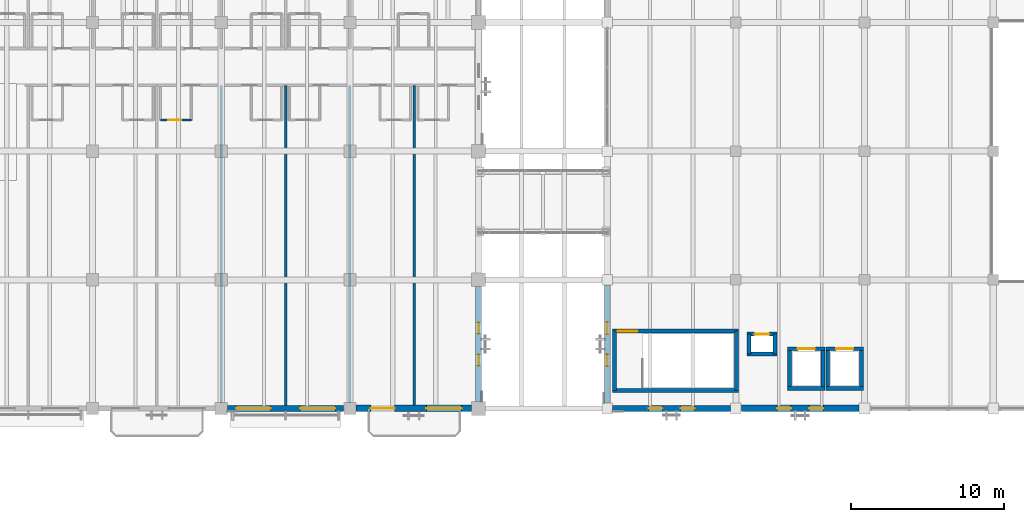
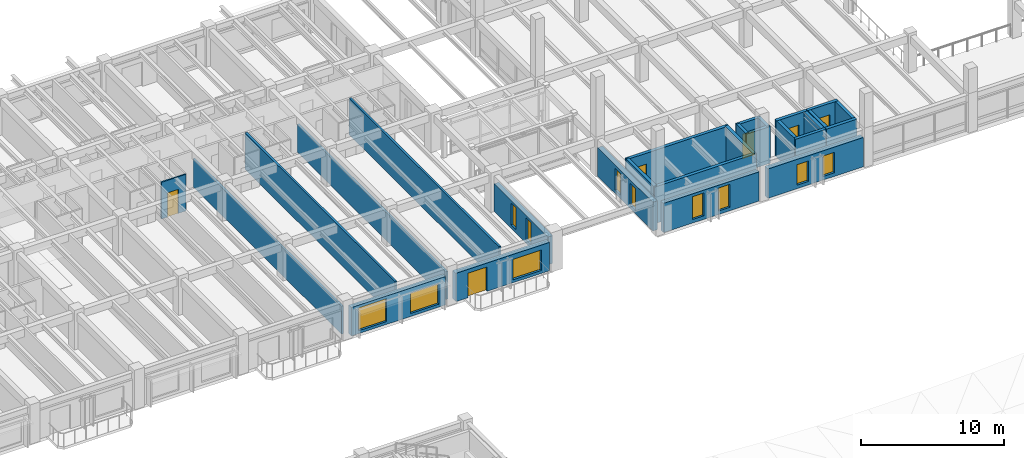
# One storey, part 90 of 123: 27 walls, 11 windows, 6 doors, 17 openings.
"""IFC4 building model written with IfcOpenShell, lengths in metres."""

from ifc_helpers import new_model, si_unit, direction, frame, frame_2d, origin, place, context, subcontext, project, spatial, rectangle, extrude, material, layer, layer_set, type_object, element, fill, save


model = new_model("IFC4")

# Units and contexts
model_context = context("Model", 3, precision=1e-05, world=origin(), true_north=direction((0.0, 1.0)))
body_context = subcontext(model_context, "Body", "Model", "MODEL_VIEW")
ifc_project = project(units=[si_unit("LENGTHUNIT", "METRE"), si_unit("AREAUNIT", "SQUARE_METRE"), si_unit("VOLUMEUNIT", "CUBIC_METRE"), si_unit("PLANEANGLEUNIT", "RADIAN"), si_unit("MASSUNIT", "GRAM", prefix="KILO")], contexts=[model_context])

# Site, building, storey
site_placement = place(None, origin())
site = spatial("IfcSite", under=ifc_project, at=site_placement, CompositionType="ELEMENT")
building_placement = place(site_placement, origin())
building = spatial("IfcBuilding", under=site, at=building_placement, Name="Cumbredor Promenade Congress Hotel", CompositionType="ELEMENT")
storey_placement = place(building_placement, frame((0.0, 0.0, 11.760009765625)))
storey = spatial("IfcBuildingStorey", under=building, at=storey_placement, Name="L03", CompositionType="ELEMENT", Elevation=11.760009765625)

# Wall, opening, door
ifc_material_1 = material(Name="Moisture-resistant gypsum board on steel studs", Category="steel")
ifc_layer_1 = layer(ifc_material_1, 0.114990234375, Name="Moisture-resistant gypsum board on steel studs", Category="steel")
ifc_layer_set_1 = layer_set([ifc_layer_1], Name="Moisture-resistant gypsum board on steel studs")
wall_type_1 = type_object("IfcWallType", Name="WL-BATH-115", PredefinedType="PARTITIONING", material=ifc_layer_set_1)
wall_1_placement = place(storey_placement, frame((63.239990234375, 102.830078125, 0.0), z_axis=(0.0, 0.0, 1.0), x_axis=(1.0, 0.0, 0.0)))
wall_1 = element("IfcWall", 1, at=wall_1_placement, inside=storey, type_object=wall_type_1, Name="L03 Interior Partition W-L03-BH-0319", PredefinedType="PARTITIONING", context=body_context, shape_type="SweptSolid", body=[
    extrude(rectangle(XDim=2.0, YDim=0.114990234375, at=frame_2d((1.0, 0.0))), origin(), (0.0, 0.0, 1.0), 3.119873046875),
])
opening_1_placement = place(wall_1_placement, frame((0.5, 0.0, 0.0)))
opening_1 = element("IfcOpeningElement", 2, at=opening_1_placement, cuts=wall_1, Name="Opening ID-01", PredefinedType="OPENING", context=body_context, shape_type="SweptSolid", body=[
    extrude(rectangle(XDim=0.860107421875, YDim=2.050048828125, at=frame_2d((0.43017578125, 1.02490234375))), frame((0.0, 0.0673828125, 0.0), z_axis=(0.0, -1.0, 0.0), x_axis=(1.0, 0.0, 0.0)), (0.0, 0.0, 1.0), 0.135009765625),
])
ifc_material_2 = material(Name="Kiln-dried tropical hardwood", Category="wood")
door_type_1 = type_object("IfcDoorType", Name="DR-BATH-860", OperationType="NOTDEFINED", PredefinedType="DOOR", material=ifc_material_2)
door_1_placement = place(opening_1_placement, origin())
door_1 = element("IfcDoor", 3, at=door_1_placement, inside=storey, type_object=door_type_1, Name="L03 Interior Door W-L03-BH-0319-01", OperationType="SINGLE_SWING_LEFT", OverallHeight=2.050048828125, OverallWidth=0.860107421875, PredefinedType="DOOR", context=body_context, shape_type="SweptSolid", body=[
    extrude(rectangle(XDim=0.860107421875, YDim=2.050048828125, at=frame_2d((0.43017578125, 1.02490234375))), frame((0.0, 0.02490234375, 0.0), z_axis=(0.0, -1.0, 0.0), x_axis=(1.0, 0.0, 0.0)), (0.0, 0.0, 1.0), 0.050048828125),
])
fill(opening_1, door_1)

# Wall, openings, windows
ifc_material_3 = material(Name="Concrete C40/50", Category="concrete")
ifc_layer_2 = layer(ifc_material_3, 0.3798828125, Name="Concrete C40/50", Category="concrete")
ifc_layer_set_2 = layer_set([ifc_layer_2], Name="Concrete C40/50")
wall_type_2 = type_object("IfcWallType", Name="WL-EXT-380", PredefinedType="SOLIDWALL", material=ifc_layer_set_2)
wall_2_placement = place(storey_placement, frame((92.7509765625, 84.0, 0.0), z_axis=(0.0, 0.0, 1.0), x_axis=(1.0, 0.0, 0.0)))
wall_2 = element("IfcWall", 4, at=wall_2_placement, inside=storey, type_object=wall_type_2, Name="L03 Pre-Function and Breakout Meeting Forum South Envelope Wall 1", PredefinedType="SOLIDWALL", context=body_context, shape_type="SweptSolid", body=[
    extrude(rectangle(XDim=7.697998046875, YDim=0.3798828125, at=frame_2d((3.84912109375, 0.0))), origin(), (0.0, 0.0, 1.0), 2.493896484375),
])
opening_2_placement = place(wall_2_placement, frame((2.34912109375, 0.0, 0.300048828125)))
opening_2 = element("IfcOpeningElement", 5, at=opening_2_placement, cuts=wall_2, Name="Opening WN-52", PredefinedType="OPENING", context=body_context, shape_type="SweptSolid", body=[
    extrude(rectangle(XDim=0.89990234375, YDim=1.949951171875, at=frame_2d((0.449951171875, 0.97509765625))), frame((0.0, 0.199951171875, 0.0), z_axis=(0.0, -1.0, 0.0), x_axis=(1.0, 0.0, 0.0)), (0.0, 0.0, 1.0), 0.39990234375),
])
opening_3_placement = place(wall_2_placement, frame((4.448974609375, 0.0, 0.300048828125)))
opening_3 = element("IfcOpeningElement", 6, at=opening_3_placement, cuts=wall_2, Name="Opening WN-52", PredefinedType="OPENING", context=body_context, shape_type="SweptSolid", body=[
    extrude(rectangle(XDim=0.89990234375, YDim=1.949951171875, at=frame_2d((0.449951171875, 0.97509765625))), frame((0.0, 0.199951171875, 0.0), z_axis=(0.0, -1.0, 0.0), x_axis=(1.0, 0.0, 0.0)), (0.0, 0.0, 1.0), 0.39990234375),
])
ifc_material_4 = material(Name="Thermally broken anodized aluminium and low-E glass", Category="aluminium")
window_type_1 = type_object("IfcWindowType", Name="Vertical Slot Window WN-52 900x1950", PartitioningType="SINGLE_PANEL", PredefinedType="WINDOW", material=ifc_material_4)
window_1_placement = place(opening_2_placement, origin())
window_1 = element("IfcWindow", 7, at=window_1_placement, inside=storey, type_object=window_type_1, Name="L03 Vertical Slot Window 0362", OverallHeight=1.949951171875, OverallWidth=0.89990234375, PartitioningType="SINGLE_PANEL", PredefinedType="WINDOW", context=body_context, shape_type="SweptSolid", body=[
    extrude(rectangle(XDim=0.89990234375, YDim=1.949951171875, at=frame_2d((0.449951171875, 0.97509765625))), frame((0.0, 0.030029296875, 0.0), z_axis=(0.0, -1.0, 0.0), x_axis=(1.0, 0.0, 0.0)), (0.0, 0.0, 1.0), 0.06005859375),
])
fill(opening_2, window_1)
window_2_placement = place(opening_3_placement, origin())
window_2 = element("IfcWindow", 8, at=window_2_placement, inside=storey, type_object=window_type_1, Name="L03 Vertical Slot Window 0363", OverallHeight=1.949951171875, OverallWidth=0.89990234375, PartitioningType="SINGLE_PANEL", PredefinedType="WINDOW", context=body_context, shape_type="SweptSolid", body=[
    extrude(rectangle(XDim=0.89990234375, YDim=1.949951171875, at=frame_2d((0.449951171875, 0.97509765625))), frame((0.0, 0.030029296875, 0.0), z_axis=(0.0, -1.0, 0.0), x_axis=(1.0, 0.0, 0.0)), (0.0, 0.0, 1.0), 0.06005859375),
])
fill(opening_3, window_2)

wall_3_placement = place(storey_placement, frame((92.39990234375, 84.35107421875, 0.0), z_axis=(0.0, 0.0, 1.0), x_axis=(0.0, 1.0, 0.0)))
wall_3 = element("IfcWall", 9, at=wall_3_placement, inside=storey, type_object=wall_type_2, Name="L03 Pre-Function and Breakout Meeting Forum West Envelope Wall 1", PredefinedType="SOLIDWALL", context=body_context, shape_type="SweptSolid", body=[
    extrude(rectangle(XDim=7.697998046875, YDim=0.3798828125, at=frame_2d((3.84912109375, 0.0))), origin(), (0.0, 0.0, 1.0), 2.455078125),
])
opening_4_placement = place(wall_3_placement, frame((2.408935546875, 0.0, 0.300048828125)))
opening_4 = element("IfcOpeningElement", 10, at=opening_4_placement, cuts=wall_3, Name="Opening WN-46", PredefinedType="OPENING", context=body_context, shape_type="SweptSolid", body=[
    extrude(rectangle(XDim=0.780029296875, YDim=1.85009765625, at=frame_2d((0.39013671875, 0.925048828125))), frame((0.0, 0.199951171875, 0.0), z_axis=(0.0, -1.0, 0.0), x_axis=(1.0, 0.0, 0.0)), (0.0, 0.0, 1.0), 0.39990234375),
])
opening_5_placement = place(wall_3_placement, frame((4.509033203125, 0.0, 0.300048828125)))
opening_5 = element("IfcOpeningElement", 11, at=opening_5_placement, cuts=wall_3, Name="Opening WN-46", PredefinedType="OPENING", context=body_context, shape_type="SweptSolid", body=[
    extrude(rectangle(XDim=0.780029296875, YDim=1.85009765625, at=frame_2d((0.39013671875, 0.925048828125))), frame((0.0, 0.199951171875, 0.0), z_axis=(0.0, -1.0, 0.0), x_axis=(1.0, 0.0, 0.0)), (0.0, 0.0, 1.0), 0.39990234375),
])
window_type_2 = type_object("IfcWindowType", Name="Vertical Slot Window WN-46 780x1850", PartitioningType="SINGLE_PANEL", PredefinedType="WINDOW", material=ifc_material_4)
window_3_placement = place(opening_4_placement, origin())
window_3 = element("IfcWindow", 12, at=window_3_placement, inside=storey, type_object=window_type_2, Name="L03 Vertical Slot Window 0390", OverallHeight=1.85009765625, OverallWidth=0.780029296875, PartitioningType="SINGLE_PANEL", PredefinedType="WINDOW", context=body_context, shape_type="SweptSolid", body=[
    extrude(rectangle(XDim=0.780029296875, YDim=1.85009765625, at=frame_2d((0.39013671875, 0.925048828125))), frame((0.0, 0.030029296875, 0.0), z_axis=(0.0, -1.0, 0.0), x_axis=(1.0, 0.0, 0.0)), (0.0, 0.0, 1.0), 0.06005859375),
])
fill(opening_4, window_3)
window_4_placement = place(opening_5_placement, origin())
window_4 = element("IfcWindow", 13, at=window_4_placement, inside=storey, type_object=window_type_2, Name="L03 Vertical Slot Window 0391", OverallHeight=1.85009765625, OverallWidth=0.780029296875, PartitioningType="SINGLE_PANEL", PredefinedType="WINDOW", context=body_context, shape_type="SweptSolid", body=[
    extrude(rectangle(XDim=0.780029296875, YDim=1.85009765625, at=frame_2d((0.39013671875, 0.925048828125))), frame((0.0, 0.030029296875, 0.0), z_axis=(0.0, -1.0, 0.0), x_axis=(1.0, 0.0, 0.0)), (0.0, 0.0, 1.0), 0.06005859375),
])
fill(opening_5, window_4)

wall_4_placement = place(storey_placement, frame((67.60107421875, 84.0, 0.0), z_axis=(0.0, 0.0, 1.0), x_axis=(1.0, 0.0, 0.0)))
wall_4 = element("IfcWall", 14, at=wall_4_placement, inside=storey, type_object=wall_type_2, Name="L03 Stepped Congress Hotel Wing South Envelope Wall 9", PredefinedType="SOLIDWALL", context=body_context, shape_type="SweptSolid", body=[
    extrude(rectangle(XDim=7.597900390625, YDim=0.3798828125, at=frame_2d((3.798828125, 0.0))), origin(), (0.0, 0.0, 1.0), 2.4140625),
])
opening_6_placement = place(wall_4_placement, frame((0.573974609375, 0.0, 0.25)))
opening_6 = element("IfcOpeningElement", 15, at=opening_6_placement, cuts=wall_4, Name="Opening WN-07", PredefinedType="OPENING", context=body_context, shape_type="SweptSolid", body=[
    extrude(rectangle(XDim=2.25, YDim=1.949951171875, at=frame_2d((1.125, 0.97509765625))), frame((0.0, 0.199951171875, 0.0), z_axis=(0.0, -1.0, 0.0), x_axis=(1.0, 0.0, 0.0)), (0.0, 0.0, 1.0), 0.39990234375),
])
opening_7_placement = place(wall_4_placement, frame((4.7490234375, 0.0, 0.25)))
opening_7 = element("IfcOpeningElement", 16, at=opening_7_placement, cuts=wall_4, Name="Opening WN-25", PredefinedType="OPENING", context=body_context, shape_type="SweptSolid", body=[
    extrude(rectangle(XDim=2.300048828125, YDim=1.75, at=frame_2d((1.14990234375, 0.875))), frame((0.0, 0.199951171875, 0.0), z_axis=(0.0, -1.0, 0.0), x_axis=(1.0, 0.0, 0.0)), (0.0, 0.0, 1.0), 0.39990234375),
])
window_type_3 = type_object("IfcWindowType", Name="Hospitality Floor-to-Ceiling Window WN-07 2250x1950", PartitioningType="DOUBLE_PANEL_VERTICAL", PredefinedType="WINDOW", material=ifc_material_4)
window_5_placement = place(opening_6_placement, origin())
window_5 = element("IfcWindow", 17, at=window_5_placement, inside=storey, type_object=window_type_3, Name="L03 Wide Hospitality Window 0413", OverallHeight=1.949951171875, OverallWidth=2.25, PartitioningType="DOUBLE_PANEL_VERTICAL", PredefinedType="WINDOW", context=body_context, shape_type="SweptSolid", body=[
    extrude(rectangle(XDim=2.25, YDim=1.949951171875, at=frame_2d((1.125, 0.97509765625))), frame((0.0, 0.030029296875, 0.0), z_axis=(0.0, -1.0, 0.0), x_axis=(1.0, 0.0, 0.0)), (0.0, 0.0, 1.0), 0.06005859375),
])
fill(opening_6, window_5)
window_type_4 = type_object("IfcWindowType", Name="Hospitality Floor-to-Ceiling Window WN-25 2300x1750", PartitioningType="DOUBLE_PANEL_VERTICAL", PredefinedType="WINDOW", material=ifc_material_4)
window_6_placement = place(opening_7_placement, origin())
window_6 = element("IfcWindow", 18, at=window_6_placement, inside=storey, type_object=window_type_4, Name="L03 Wide Hospitality Window 0414", OverallHeight=1.75, OverallWidth=2.300048828125, PartitioningType="DOUBLE_PANEL_VERTICAL", PredefinedType="WINDOW", context=body_context, shape_type="SweptSolid", body=[
    extrude(rectangle(XDim=2.300048828125, YDim=1.75, at=frame_2d((1.14990234375, 0.875))), frame((0.0, 0.030029296875, 0.0), z_axis=(0.0, -1.0, 0.0), x_axis=(1.0, 0.0, 0.0)), (0.0, 0.0, 1.0), 0.06005859375),
])
fill(opening_7, window_6)

wall_5_placement = place(storey_placement, frame((84.0, 84.450927734375, 0.0), z_axis=(0.0, 0.0, 1.0), x_axis=(0.0, 1.0, 0.0)))
wall_5 = element("IfcWall", 19, at=wall_5_placement, inside=storey, type_object=wall_type_2, Name="L03 Stepped Congress Hotel Wing East Envelope Wall 1", PredefinedType="SOLIDWALL", context=body_context, shape_type="SweptSolid", body=[
    extrude(rectangle(XDim=7.498046875, YDim=0.3798828125, at=frame_2d((3.7490234375, 0.0))), origin(), (0.0, 0.0, 1.0), 2.375),
])
opening_8_placement = place(wall_5_placement, frame((2.339111328125, 0.0, 0.300048828125)))
opening_8 = element("IfcOpeningElement", 20, at=opening_8_placement, cuts=wall_5, Name="Opening WN-45", PredefinedType="OPENING", context=body_context, shape_type="SweptSolid", body=[
    extrude(rectangle(XDim=0.719970703125, YDim=1.85009765625, at=frame_2d((0.35986328125, 0.925048828125))), frame((0.0, 0.199951171875, 0.0), z_axis=(0.0, -1.0, 0.0), x_axis=(1.0, 0.0, 0.0)), (0.0, 0.0, 1.0), 0.39990234375),
])
opening_9_placement = place(wall_5_placement, frame((4.43896484375, 0.0, 0.300048828125)))
opening_9 = element("IfcOpeningElement", 21, at=opening_9_placement, cuts=wall_5, Name="Opening WN-45", PredefinedType="OPENING", context=body_context, shape_type="SweptSolid", body=[
    extrude(rectangle(XDim=0.719970703125, YDim=1.85009765625, at=frame_2d((0.35986328125, 0.925048828125))), frame((0.0, 0.199951171875, 0.0), z_axis=(0.0, -1.0, 0.0), x_axis=(1.0, 0.0, 0.0)), (0.0, 0.0, 1.0), 0.39990234375),
])
window_type_5 = type_object("IfcWindowType", Name="Vertical Slot Window WN-45 720x1850", PartitioningType="SINGLE_PANEL", PredefinedType="WINDOW", material=ifc_material_4)
window_7_placement = place(opening_8_placement, origin())
window_7 = element("IfcWindow", 22, at=window_7_placement, inside=storey, type_object=window_type_5, Name="L03 Vertical Slot Window 0438", OverallHeight=1.85009765625, OverallWidth=0.719970703125, PartitioningType="SINGLE_PANEL", PredefinedType="WINDOW", context=body_context, shape_type="SweptSolid", body=[
    extrude(rectangle(XDim=0.719970703125, YDim=1.85009765625, at=frame_2d((0.35986328125, 0.925048828125))), frame((0.0, 0.030029296875, 0.0), z_axis=(0.0, -1.0, 0.0), x_axis=(1.0, 0.0, 0.0)), (0.0, 0.0, 1.0), 0.06005859375),
])
fill(opening_8, window_7)
window_8_placement = place(opening_9_placement, origin())
window_8 = element("IfcWindow", 23, at=window_8_placement, inside=storey, type_object=window_type_5, Name="L03 Vertical Slot Window 0439", OverallHeight=1.85009765625, OverallWidth=0.719970703125, PartitioningType="SINGLE_PANEL", PredefinedType="WINDOW", context=body_context, shape_type="SweptSolid", body=[
    extrude(rectangle(XDim=0.719970703125, YDim=1.85009765625, at=frame_2d((0.35986328125, 0.925048828125))), frame((0.0, 0.030029296875, 0.0), z_axis=(0.0, -1.0, 0.0), x_axis=(1.0, 0.0, 0.0)), (0.0, 0.0, 1.0), 0.06005859375),
])
fill(opening_9, window_8)

ifc_layer_3 = layer(ifc_material_3, 0.425048828125, Name="Concrete C40/50", Category="concrete")
ifc_layer_set_3 = layer_set([ifc_layer_3], Name="Concrete C40/50")
wall_type_3 = type_object("IfcWallType", Name="WL-EXT-425", PredefinedType="SOLIDWALL", material=ifc_layer_set_3)
wall_6_placement = place(storey_placement, frame((101.15087890625, 84.0, 0.0), z_axis=(0.0, 0.0, 1.0), x_axis=(1.0, 0.0, 0.0)))
wall_6 = element("IfcWall", 24, at=wall_6_placement, inside=storey, type_object=wall_type_3, Name="L03 Pre-Function and Breakout Meeting Forum South Envelope Wall 2", PredefinedType="SOLIDWALL", context=body_context, shape_type="SweptSolid", body=[
    extrude(rectangle(XDim=7.6982421875, YDim=0.425048828125, at=frame_2d((3.84912109375, 0.0))), origin(), (0.0, 0.0, 1.0), 2.493896484375),
])
opening_10_placement = place(wall_6_placement, frame((2.339111328125, 0.0, 0.300048828125)))
opening_10 = element("IfcOpeningElement", 25, at=opening_10_placement, cuts=wall_6, Name="Opening WN-63", PredefinedType="OPENING", context=body_context, shape_type="SweptSolid", body=[
    extrude(rectangle(XDim=0.919921875, YDim=1.75, at=frame_2d((0.4599609375, 0.875))), frame((0.0, 0.22265625, 0.0), z_axis=(0.0, -1.0, 0.0), x_axis=(1.0, 0.0, 0.0)), (0.0, 0.0, 1.0), 0.445068359375),
])
opening_11_placement = place(wall_6_placement, frame((4.43896484375, 0.0, 0.300048828125)))
opening_11 = element("IfcOpeningElement", 26, at=opening_11_placement, cuts=wall_6, Name="Opening WN-63", PredefinedType="OPENING", context=body_context, shape_type="SweptSolid", body=[
    extrude(rectangle(XDim=0.919921875, YDim=1.75, at=frame_2d((0.4599609375, 0.875))), frame((0.0, 0.22265625, 0.0), z_axis=(0.0, -1.0, 0.0), x_axis=(1.0, 0.0, 0.0)), (0.0, 0.0, 1.0), 0.445068359375),
])
window_type_6 = type_object("IfcWindowType", Name="Vertical Slot Window WN-63 920x1750", PartitioningType="SINGLE_PANEL", PredefinedType="WINDOW", material=ifc_material_4)
window_9_placement = place(opening_10_placement, origin())
window_9 = element("IfcWindow", 27, at=window_9_placement, inside=storey, type_object=window_type_6, Name="L03 Vertical Slot Window 0364", OverallHeight=1.75, OverallWidth=0.919921875, PartitioningType="SINGLE_PANEL", PredefinedType="WINDOW", context=body_context, shape_type="SweptSolid", body=[
    extrude(rectangle(XDim=0.919921875, YDim=1.75, at=frame_2d((0.4599609375, 0.875))), frame((0.0, 0.030029296875, 0.0), z_axis=(0.0, -1.0, 0.0), x_axis=(1.0, 0.0, 0.0)), (0.0, 0.0, 1.0), 0.06005859375),
])
fill(opening_10, window_9)
window_10_placement = place(opening_11_placement, origin())
window_10 = element("IfcWindow", 28, at=window_10_placement, inside=storey, type_object=window_type_6, Name="L03 Vertical Slot Window 0365", OverallHeight=1.75, OverallWidth=0.919921875, PartitioningType="SINGLE_PANEL", PredefinedType="WINDOW", context=body_context, shape_type="SweptSolid", body=[
    extrude(rectangle(XDim=0.919921875, YDim=1.75, at=frame_2d((0.4599609375, 0.875))), frame((0.0, 0.030029296875, 0.0), z_axis=(0.0, -1.0, 0.0), x_axis=(1.0, 0.0, 0.0)), (0.0, 0.0, 1.0), 0.06005859375),
])
fill(opening_11, window_10)

# Wall, openings, door, window
wall_7_placement = place(storey_placement, frame((76.0009765625, 84.0, 0.0), z_axis=(0.0, 0.0, 1.0), x_axis=(1.0, 0.0, 0.0)))
wall_7 = element("IfcWall", 29, at=wall_7_placement, inside=storey, type_object=wall_type_3, Name="L03 Stepped Congress Hotel Wing South Envelope Wall 10", PredefinedType="SOLIDWALL", context=body_context, shape_type="SweptSolid", body=[
    extrude(rectangle(XDim=7.548095703125, YDim=0.425048828125, at=frame_2d((3.77392578125, 0.0))), origin(), (0.0, 0.0, 1.0), 2.4140625),
])
opening_12_placement = place(wall_7_placement, frame((0.97412109375, 0.0, 0.0)))
opening_12 = element("IfcOpeningElement", 30, at=opening_12_placement, cuts=wall_7, Name="Opening TD-01", PredefinedType="OPENING", context=body_context, shape_type="SweptSolid", body=[
    extrude(rectangle(XDim=1.550048828125, YDim=2.080078125, at=frame_2d((0.77490234375, 1.0400390625))), frame((0.0, 0.22265625, 0.0), z_axis=(0.0, -1.0, 0.0), x_axis=(1.0, 0.0, 0.0)), (0.0, 0.0, 1.0), 0.445068359375),
])
opening_13_placement = place(wall_7_placement, frame((4.59912109375, 0.0, 0.25)))
opening_13 = element("IfcOpeningElement", 31, at=opening_13_placement, cuts=wall_7, Name="Opening WN-25", PredefinedType="OPENING", context=body_context, shape_type="SweptSolid", body=[
    extrude(rectangle(XDim=2.300048828125, YDim=1.75, at=frame_2d((1.14990234375, 0.875))), frame((0.0, 0.22265625, 0.0), z_axis=(0.0, -1.0, 0.0), x_axis=(1.0, 0.0, 0.0)), (0.0, 0.0, 1.0), 0.445068359375),
])
ifc_material_5 = material(Name="Thermally broken anodized aluminium and laminated safety glass", Category="aluminium")
door_type_2 = type_object("IfcDoorType", Name="EXT-DR-TER-1550x2080", OperationType="DOUBLE_DOOR_SINGLE_SWING", PredefinedType="DOOR", material=ifc_material_5)
door_2_placement = place(opening_12_placement, frame((1.550048828125, 0.0, 0.0), z_axis=(0.0, 0.0, 1.0), x_axis=(-1.0, 0.0, 0.0)))
door_2 = element("IfcDoor", 32, at=door_2_placement, inside=storey, type_object=door_type_2, Name="L03 Guestroom Veranda Balcony Door 045", OperationType="DOUBLE_DOOR_SINGLE_SWING", OverallHeight=2.080078125, OverallWidth=1.550048828125, PredefinedType="DOOR", context=body_context, shape_type="SweptSolid", body=[
    extrude(rectangle(XDim=1.550048828125, YDim=2.080078125, at=frame_2d((0.77490234375, 1.0400390625))), frame((0.0, 0.02490234375, 0.0), z_axis=(0.0, -1.0, 0.0), x_axis=(1.0, 0.0, 0.0)), (0.0, 0.0, 1.0), 0.050048828125),
])
fill(opening_12, door_2)
window_11_placement = place(opening_13_placement, origin())
window_11 = element("IfcWindow", 33, at=window_11_placement, inside=storey, type_object=window_type_4, Name="L03 Veranda Companion Floor-to-Ceiling Window 0415", OverallHeight=1.75, OverallWidth=2.300048828125, PartitioningType="DOUBLE_PANEL_VERTICAL", PredefinedType="WINDOW", context=body_context, shape_type="SweptSolid", body=[
    extrude(rectangle(XDim=2.300048828125, YDim=1.75, at=frame_2d((1.14990234375, 0.875))), frame((0.0, 0.030029296875, 0.0), z_axis=(0.0, -1.0, 0.0), x_axis=(1.0, 0.0, 0.0)), (0.0, 0.0, 1.0), 0.06005859375),
])
fill(opening_13, window_11)

# Wall
ifc_layer_4 = layer(ifc_material_3, 0.2548828125, Name="Concrete C40/50", Category="concrete")
ifc_layer_set_4 = layer_set([ifc_layer_4], Name="Concrete C40/50")
wall_type_4 = type_object("IfcWallType", Name="WL-SHAFT-250", PredefinedType="SOLIDWALL", material=ifc_layer_set_4)
wall_8_placement = place(storey_placement, frame((92.75244140625, 85.179931640625, 0.0), z_axis=(0.0, 0.0, 1.0), x_axis=(1.0, 0.0, 0.0)))
element("IfcWall", 34, at=wall_8_placement, inside=storey, type_object=wall_type_4, Name="STAIR-ST-13-L03 Shaft Wall South", PredefinedType="SOLIDWALL", context=body_context, shape_type="SweptSolid", body=[
    extrude(rectangle(XDim=8.22509765625, YDim=0.2548828125, at=frame_2d((4.112548828125, 0.0))), origin(), (0.0, 0.0, 1.0), 3.125),
])

# Wall, opening, door
wall_9_placement = place(storey_placement, frame((92.75244140625, 89.050048828125, 0.0), z_axis=(0.0, 0.0, 1.0), x_axis=(1.0, 0.0, 0.0)))
wall_9 = element("IfcWall", 35, at=wall_9_placement, inside=storey, type_object=wall_type_4, Name="STAIR-ST-13-L03 Shaft Wall North", PredefinedType="SOLIDWALL", context=body_context, shape_type="SweptSolid", body=[
    extrude(rectangle(XDim=8.22509765625, YDim=0.2548828125, at=frame_2d((4.112548828125, 0.0))), origin(), (0.0, 0.0, 1.0), 3.125),
])
opening_14_placement = place(wall_9_placement, frame((0.35009765625, 0.0, 0.0)))
opening_14 = element("IfcOpeningElement", 36, at=opening_14_placement, cuts=wall_9, Name="Opening SD-02", PredefinedType="OPENING", context=body_context, shape_type="SweptSolid", body=[
    extrude(rectangle(XDim=1.25, YDim=2.199951171875, at=frame_2d((0.625, 1.10009765625))), frame((0.0, 0.137451171875, 0.0), z_axis=(0.0, -1.0, 0.0), x_axis=(1.0, 0.0, 0.0)), (0.0, 0.0, 1.0), 0.27490234375),
])
ifc_material_6 = material(Name="Painted galvanized steel fire door", Category="steel")
door_type_3 = type_object("IfcDoorType", Name="DR-STAIR-FD90-1250", OperationType="NOTDEFINED", PredefinedType="DOOR", material=ifc_material_6)
door_3_placement = place(opening_14_placement, origin())
door_3 = element("IfcDoor", 37, at=door_3_placement, inside=storey, type_object=door_type_3, Name="L03 Protected Exit Stair ST-13 Door", OperationType="SINGLE_SWING_LEFT", OverallHeight=2.199951171875, OverallWidth=1.25, PredefinedType="DOOR", context=body_context, shape_type="SweptSolid", body=[
    extrude(rectangle(XDim=1.25, YDim=2.199951171875, at=frame_2d((0.625, 1.10009765625))), frame((0.0, 0.02490234375, 0.0), z_axis=(0.0, -1.0, 0.0), x_axis=(1.0, 0.0, 0.0)), (0.0, 0.0, 1.0), 0.050048828125),
])
fill(opening_14, door_3)

# Walls
for number, where, z_axis, x_axis, name in (
    (38, (92.8798828125, 85.179931640625, 0.0), (0.0, 0.0, 1.0), (0.0, 1.0, 0.0), "STAIR-ST-13-L03 Shaft Wall West"),
    (39, (100.85009765625, 85.179931640625, 0.0), (0.0, 0.0, 1.0), (0.0, 1.0, 0.0), "STAIR-ST-13-L03 Shaft Wall East"),
):
    element("IfcWall", number, at=place(storey_placement, frame(where, z_axis=z_axis, x_axis=x_axis)), inside=storey, type_object=wall_type_4, Name=name, PredefinedType="SOLIDWALL", context=body_context, shape_type="SweptSolid", body=[
        extrude(rectangle(XDim=3.8701171875, YDim=0.2548828125, at=frame_2d((1.93505859375, 0.0))), origin(), (0.0, 0.0, 1.0), 3.125),
    ])
wall_10_placement = place(storey_placement, frame((104.172607421875, 85.300048828125, 0.0), z_axis=(0.0, 0.0, 1.0), x_axis=(1.0, 0.0, 0.0)))
element("IfcWall", 40, at=wall_10_placement, inside=storey, type_object=wall_type_4, Name="SHAFT-PL-09-L03 Shaft Wall South", PredefinedType="SOLIDWALL", context=body_context, shape_type="SweptSolid", body=[
    extrude(rectangle(XDim=2.454833984375, YDim=0.2548828125, at=frame_2d((1.2275390625, 0.0))), origin(), (0.0, 0.0, 1.0), 3.125),
])

# Wall, opening, door
wall_11_placement = place(storey_placement, frame((104.172607421875, 87.89990234375, 0.0), z_axis=(0.0, 0.0, 1.0), x_axis=(1.0, 0.0, 0.0)))
wall_11 = element("IfcWall", 41, at=wall_11_placement, inside=storey, type_object=wall_type_4, Name="SHAFT-PL-09-L03 Shaft Wall North", PredefinedType="SOLIDWALL", context=body_context, shape_type="SweptSolid", body=[
    extrude(rectangle(XDim=2.454833984375, YDim=0.2548828125, at=frame_2d((1.2275390625, 0.0))), origin(), (0.0, 0.0, 1.0), 3.125),
])
opening_15_placement = place(wall_11_placement, frame((0.677490234375, 0.0, 0.0)))
opening_15 = element("IfcOpeningElement", 42, at=opening_15_placement, cuts=wall_11, Name="Opening LD-01", PredefinedType="OPENING", context=body_context, shape_type="SweptSolid", body=[
    extrude(rectangle(XDim=1.10009765625, YDim=2.14990234375, at=frame_2d((0.550048828125, 1.074951171875))), frame((0.0, 0.137451171875, 0.0), z_axis=(0.0, -1.0, 0.0), x_axis=(1.0, 0.0, 0.0)), (0.0, 0.0, 1.0), 0.27490234375),
])
ifc_material_7 = material(Name="Brushed stainless steel", Category="steel")
door_type_4 = type_object("IfcDoorType", Name="Lift Landing Sliding Door LD-01 1100x2150", OperationType="DOUBLE_DOOR_SLIDING", PredefinedType="DOOR", material=ifc_material_7)
door_4_placement = place(opening_15_placement, origin())
door_4 = element("IfcDoor", 43, at=door_4_placement, inside=storey, type_object=door_type_4, Name="L03 Forum Congress Lift PL-09 Sliding Landing Door", OperationType="DOUBLE_DOOR_SLIDING", OverallHeight=2.14990234375, OverallWidth=1.10009765625, PredefinedType="DOOR", context=body_context, shape_type="SweptSolid", body=[
    extrude(rectangle(XDim=1.10009765625, YDim=2.14990234375, at=frame_2d((0.550048828125, 1.074951171875))), frame((0.0, 0.02490234375, 0.0), z_axis=(0.0, -1.0, 0.0), x_axis=(1.0, 0.0, 0.0)), (0.0, 0.0, 1.0), 0.050048828125),
])
fill(opening_15, door_4)

# Walls
for number, where, z_axis, x_axis, name in (
    (44, (104.300048828125, 85.300048828125, 0.0), (0.0, 0.0, 1.0), (0.0, 1.0, 0.0), "SHAFT-PL-09-L03 Shaft Wall West"),
    (45, (106.5, 85.300048828125, 0.0), (0.0, 0.0, 1.0), (0.0, 1.0, 0.0), "SHAFT-PL-09-L03 Shaft Wall East"),
):
    element("IfcWall", number, at=place(storey_placement, frame(where, z_axis=z_axis, x_axis=x_axis)), inside=storey, type_object=wall_type_4, Name=name, PredefinedType="SOLIDWALL", context=body_context, shape_type="SweptSolid", body=[
        extrude(rectangle(XDim=2.599853515625, YDim=0.2548828125, at=frame_2d((1.2998046875, 0.0))), origin(), (0.0, 0.0, 1.0), 3.125),
    ])
wall_12_placement = place(storey_placement, frame((106.672607421875, 85.300048828125, 0.0), z_axis=(0.0, 0.0, 1.0), x_axis=(1.0, 0.0, 0.0)))
element("IfcWall", 46, at=wall_12_placement, inside=storey, type_object=wall_type_4, Name="SHAFT-PL-10-L03 Shaft Wall South", PredefinedType="SOLIDWALL", context=body_context, shape_type="SweptSolid", body=[
    extrude(rectangle(XDim=2.454833984375, YDim=0.2548828125, at=frame_2d((1.2275390625, 0.0))), origin(), (0.0, 0.0, 1.0), 3.125),
])

# Wall, opening, door
wall_13_placement = place(storey_placement, frame((106.672607421875, 87.89990234375, 0.0), z_axis=(0.0, 0.0, 1.0), x_axis=(1.0, 0.0, 0.0)))
wall_13 = element("IfcWall", 47, at=wall_13_placement, inside=storey, type_object=wall_type_4, Name="SHAFT-PL-10-L03 Shaft Wall North", PredefinedType="SOLIDWALL", context=body_context, shape_type="SweptSolid", body=[
    extrude(rectangle(XDim=2.454833984375, YDim=0.2548828125, at=frame_2d((1.2275390625, 0.0))), origin(), (0.0, 0.0, 1.0), 3.125),
])
opening_16_placement = place(wall_13_placement, frame((0.677490234375, 0.0, 0.0)))
opening_16 = element("IfcOpeningElement", 48, at=opening_16_placement, cuts=wall_13, Name="Opening LD-01", PredefinedType="OPENING", context=body_context, shape_type="SweptSolid", body=[
    extrude(rectangle(XDim=1.10009765625, YDim=2.14990234375, at=frame_2d((0.550048828125, 1.074951171875))), frame((0.0, 0.137451171875, 0.0), z_axis=(0.0, -1.0, 0.0), x_axis=(1.0, 0.0, 0.0)), (0.0, 0.0, 1.0), 0.27490234375),
])
door_5_placement = place(opening_16_placement, origin())
door_5 = element("IfcDoor", 49, at=door_5_placement, inside=storey, type_object=door_type_4, Name="L03 Forum Congress Lift PL-10 Sliding Landing Door", OperationType="DOUBLE_DOOR_SLIDING", OverallHeight=2.14990234375, OverallWidth=1.10009765625, PredefinedType="DOOR", context=body_context, shape_type="SweptSolid", body=[
    extrude(rectangle(XDim=1.10009765625, YDim=2.14990234375, at=frame_2d((0.550048828125, 1.074951171875))), frame((0.0, 0.02490234375, 0.0), z_axis=(0.0, -1.0, 0.0), x_axis=(1.0, 0.0, 0.0)), (0.0, 0.0, 1.0), 0.050048828125),
])
fill(opening_16, door_5)

# Walls
for number, where, z_axis, x_axis, name in (
    (50, (106.800048828125, 85.300048828125, 0.0), (0.0, 0.0, 1.0), (0.0, 1.0, 0.0), "SHAFT-PL-10-L03 Shaft Wall West"),
    (51, (109.0, 85.300048828125, 0.0), (0.0, 0.0, 1.0), (0.0, 1.0, 0.0), "SHAFT-PL-10-L03 Shaft Wall East"),
):
    element("IfcWall", number, at=place(storey_placement, frame(where, z_axis=z_axis, x_axis=x_axis)), inside=storey, type_object=wall_type_4, Name=name, PredefinedType="SOLIDWALL", context=body_context, shape_type="SweptSolid", body=[
        extrude(rectangle(XDim=2.599853515625, YDim=0.2548828125, at=frame_2d((1.2998046875, 0.0))), origin(), (0.0, 0.0, 1.0), 3.125),
    ])
wall_14_placement = place(storey_placement, frame((101.5224609375, 87.550048828125, 0.0), z_axis=(0.0, 0.0, 1.0), x_axis=(1.0, 0.0, 0.0)))
element("IfcWall", 52, at=wall_14_placement, inside=storey, type_object=wall_type_4, Name="RISER-MEP-R4-L03 Shaft Wall South", PredefinedType="SOLIDWALL", context=body_context, shape_type="SweptSolid", body=[
    extrude(rectangle(XDim=1.955078125, YDim=0.2548828125, at=frame_2d((0.9775390625, 0.0))), origin(), (0.0, 0.0, 1.0), 3.125),
])

# Wall, opening, door
wall_15_placement = place(storey_placement, frame((101.5224609375, 88.85009765625, 0.0), z_axis=(0.0, 0.0, 1.0), x_axis=(1.0, 0.0, 0.0)))
wall_15 = element("IfcWall", 53, at=wall_15_placement, inside=storey, type_object=wall_type_4, Name="RISER-MEP-R4-L03 Shaft Wall North", PredefinedType="SOLIDWALL", context=body_context, shape_type="SweptSolid", body=[
    extrude(rectangle(XDim=1.955078125, YDim=0.2548828125, at=frame_2d((0.9775390625, 0.0))), origin(), (0.0, 0.0, 1.0), 3.125),
])
opening_17_placement = place(wall_15_placement, frame((0.507568359375, 0.0, 0.0)))
opening_17 = element("IfcOpeningElement", 54, at=opening_17_placement, cuts=wall_15, Name="Opening FD-03", PredefinedType="OPENING", context=body_context, shape_type="SweptSolid", body=[
    extrude(rectangle(XDim=0.93994140625, YDim=2.10009765625, at=frame_2d((0.469970703125, 1.050048828125))), frame((0.0, 0.137451171875, 0.0), z_axis=(0.0, -1.0, 0.0), x_axis=(1.0, 0.0, 0.0)), (0.0, 0.0, 1.0), 0.27490234375),
])
door_type_5 = type_object("IfcDoorType", Name="DR-SGL-FD60-950", OperationType="NOTDEFINED", PredefinedType="DOOR", material=ifc_material_6)
door_6_placement = place(opening_17_placement, origin())
door_6 = element("IfcDoor", 55, at=door_6_placement, inside=storey, type_object=door_type_5, Name="L03 Forum MEP Riser Shaft R4 Access Door", OperationType="SINGLE_SWING_LEFT", OverallHeight=2.10009765625, OverallWidth=0.93994140625, PredefinedType="DOOR", context=body_context, shape_type="SweptSolid", body=[
    extrude(rectangle(XDim=0.93994140625, YDim=2.10009765625, at=frame_2d((0.469970703125, 1.050048828125))), frame((0.0, 0.02490234375, 0.0), z_axis=(0.0, -1.0, 0.0), x_axis=(1.0, 0.0, 0.0)), (0.0, 0.0, 1.0), 0.050048828125),
])
fill(opening_17, door_6)

# Walls
for number, where, z_axis, x_axis, name in (
    (56, (101.64990234375, 87.550048828125, 0.0), (0.0, 0.0, 1.0), (0.0, 1.0, 0.0), "RISER-MEP-R4-L03 Shaft Wall West"),
    (57, (103.35009765625, 87.550048828125, 0.0), (0.0, 0.0, 1.0), (0.0, 1.0, 0.0), "RISER-MEP-R4-L03 Shaft Wall East"),
):
    element("IfcWall", number, at=place(storey_placement, frame(where, z_axis=z_axis, x_axis=x_axis)), inside=storey, type_object=wall_type_4, Name=name, PredefinedType="SOLIDWALL", context=body_context, shape_type="SweptSolid", body=[
        extrude(rectangle(XDim=1.300048828125, YDim=0.2548828125, at=frame_2d((0.64990234375, 0.0))), origin(), (0.0, 0.0, 1.0), 3.125),
    ])
ifc_material_8 = material(Name="Fire-rated acoustic double-stud partition")
ifc_layer_5 = layer(ifc_material_8, 0.1650390625, Name="Fire-rated acoustic double-stud partition")
ifc_layer_set_5 = layer_set([ifc_layer_5], Name="Fire-rated acoustic double-stud partition")
wall_type_5 = type_object("IfcWallType", Name="WL-UNIT-165", PredefinedType="PARTITIONING", material=ifc_layer_set_5)
wall_16_placement = place(storey_placement, frame((71.39990234375, 84.18994140625, 0.0), z_axis=(0.0, 0.0, 1.0), x_axis=(0.0, 1.0, 0.0)))
element("IfcWall", 58, at=wall_16_placement, inside=storey, type_object=wall_type_5, Name="L03 Interior Partition W-L03-SE-DIV-2-M", PredefinedType="PARTITIONING", context=body_context, shape_type="SweptSolid", body=[
    extrude(rectangle(XDim=20.91015625, YDim=0.1650390625, at=frame_2d((10.455078125, 0.0))), origin(), (0.0, 0.0, 1.0), 3.119873046875),
])
wall_17_placement = place(storey_placement, frame((67.199951171875, 84.35009765625, 0.0), z_axis=(0.0, 0.0, 1.0), x_axis=(0.0, 1.0, 0.0)))
element("IfcWall", 59, at=wall_17_placement, inside=storey, type_object=wall_type_5, Name="L03 Interior Partition W-L03-SE-DIV-2-G", PredefinedType="PARTITIONING", context=body_context, shape_type="SweptSolid", body=[
    extrude(rectangle(XDim=20.75, YDim=0.1650390625, at=frame_2d((10.375, 0.0))), origin(), (0.0, 0.0, 1.0), 2.375),
])
wall_18_placement = place(storey_placement, frame((79.800048828125, 84.21240234375, 0.0), z_axis=(0.0, 0.0, 1.0), x_axis=(0.0, 1.0, 0.0)))
element("IfcWall", 60, at=wall_18_placement, inside=storey, type_object=wall_type_5, Name="L03 Interior Partition W-L03-SE-DIV-3-M", PredefinedType="PARTITIONING", context=body_context, shape_type="SweptSolid", body=[
    extrude(rectangle(XDim=20.8876953125, YDim=0.1650390625, at=frame_2d((10.44384765625, 0.0))), origin(), (0.0, 0.0, 1.0), 3.119873046875),
])
wall_19_placement = place(storey_placement, frame((75.60009765625, 84.35009765625, 0.0), z_axis=(0.0, 0.0, 1.0), x_axis=(0.0, 1.0, 0.0)))
element("IfcWall", 61, at=wall_19_placement, inside=storey, type_object=wall_type_5, Name="L03 Interior Partition W-L03-SE-DIV-3-G", PredefinedType="PARTITIONING", context=body_context, shape_type="SweptSolid", body=[
    extrude(rectangle(XDim=20.75, YDim=0.1650390625, at=frame_2d((10.375, 0.0))), origin(), (0.0, 0.0, 1.0), 2.375),
])

save(model, "model.ifc")
